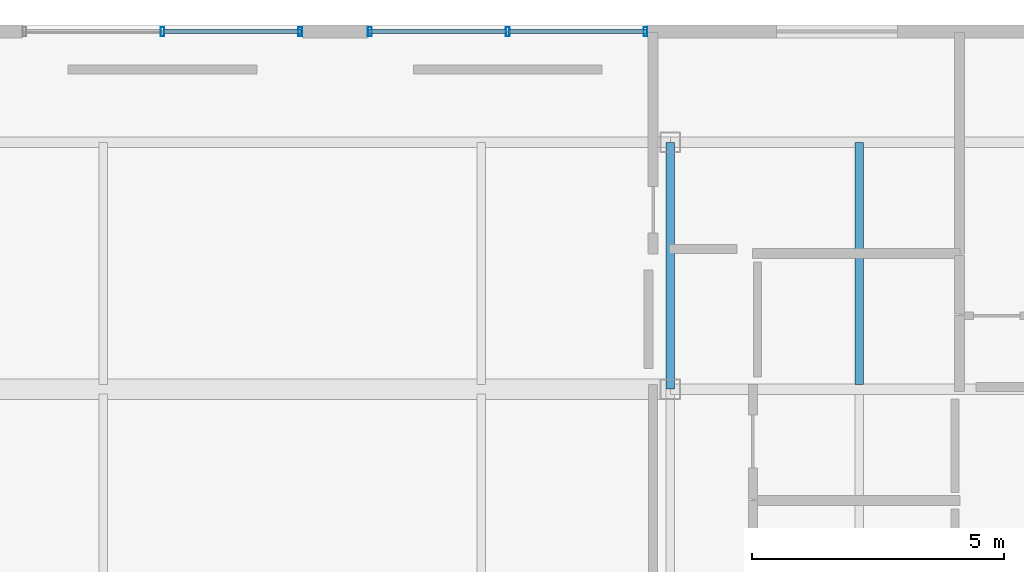
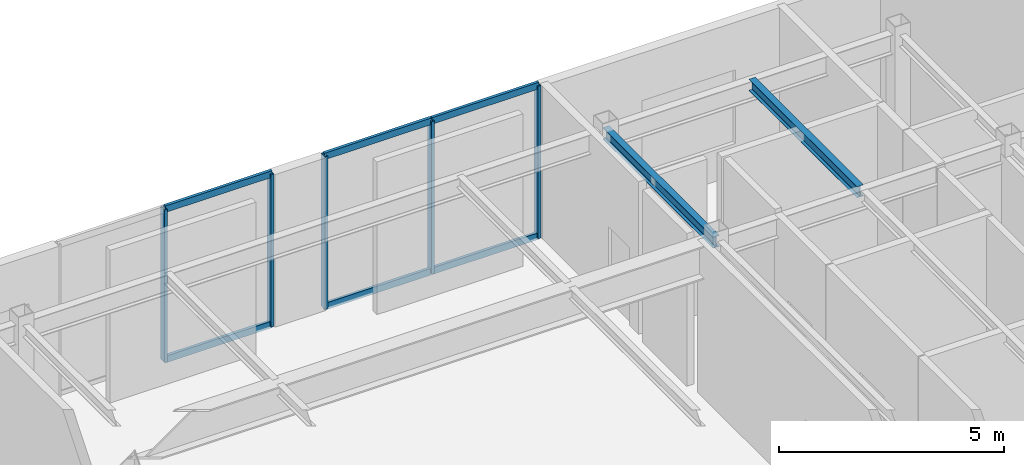
# One storey, part 4 of 10: 11 members, 2 beams, 2 elements without a shape of their own.
"""IFC4 building model written with IfcOpenShell, lengths in metres."""

from ifc_helpers import new_model, si_unit, direction, frame, origin, origin_2d, place, context, subcontext, project, spatial, hollow_rectangle, i_section, extrude, material, material_profile, profile_set, type_object, element, aggregate, save


model = new_model("IFC4")

# Units and contexts
model_context = context("Model", 3, precision=1e-05, world=origin(), true_north=direction((0.0, 1.0)))
body_context = subcontext(model_context, "Body", "Model", "MODEL_VIEW")
ifc_project = project(units=[si_unit("LENGTHUNIT", "METRE"), si_unit("AREAUNIT", "SQUARE_METRE"), si_unit("VOLUMEUNIT", "CUBIC_METRE"), si_unit("PLANEANGLEUNIT", "RADIAN"), si_unit("MASSUNIT", "GRAM", prefix="KILO")], contexts=[model_context])

# Site, building, storey
site_placement = place(None, origin())
site = spatial("IfcSite", under=ifc_project, at=site_placement, CompositionType="ELEMENT")
building_placement = place(site_placement, origin())
building = spatial("IfcBuilding", under=site, at=building_placement, Name="Ventersveld Concourse Tower", CompositionType="ELEMENT")
storey_placement = place(building_placement, frame((0.0, 0.0, 357.85009765625)))
storey = spatial("IfcBuildingStorey", under=building, at=storey_placement, Name="L88", CompositionType="ELEMENT", Elevation=357.85009765625)

# Beams
ifc_material_1 = material(Name="Structural steel S355J2", Category="steel")
ifc_material_profile_1 = material_profile(ifc_material_1, i_section(OverallWidth=0.1650390625, OverallDepth=0.303466796875, WebThickness=0.006103515625, FlangeThickness=0.01025390625, FilletRadius=0.0087890625, at=origin_2d()), Name="UB 305x165x40")
ifc_profile_set_1 = profile_set([ifc_material_profile_1], Name="Structural steel S355J2")
beam_type = type_object("IfcBeamType", Name="BM-UB305", PredefinedType="BEAM", material=ifc_profile_set_1)
beam_1_placement = place(storey_placement, frame((36.25, 23.60009765625, 3.98828125), z_axis=(0.0, 1.0, 0.0), x_axis=(-1.0, 0.0, 0.0)))
element("IfcBeam", 1, at=beam_1_placement, inside=storey, type_object=beam_type, Name="L88 N-S Upper-Zone Floor Beam X=36.25", PredefinedType="BEAM", context=body_context, shape_type="SweptSolid", body=[
    extrude(i_section(OverallWidth=0.1650390625, OverallDepth=0.303466796875, WebThickness=0.006103515625, FlangeThickness=0.01025390625, FilletRadius=0.0087890625, at=origin_2d()), origin(), (0.0, 0.0, 1.0), 4.89990234375),
])
beam_2_placement = place(storey_placement, frame((40.0, 23.695068359375, 3.98828125), z_axis=(0.0, 1.0, 0.0), x_axis=(-1.0, 0.0, 0.0)))
element("IfcBeam", 2, at=beam_2_placement, inside=storey, type_object=beam_type, Name="L88 N-S Upper-Zone Floor Beam X=40.00", PredefinedType="BEAM", context=body_context, shape_type="SweptSolid", body=[
    extrude(i_section(OverallWidth=0.1650390625, OverallDepth=0.303466796875, WebThickness=0.006103515625, FlangeThickness=0.01025390625, FilletRadius=0.0087890625, at=origin_2d()), origin(), (0.0, 0.0, 1.0), 4.804931640625),
])

# Curtain wall, members
ifc_material_2 = material(Name="Anodised aluminium EN AW-6063-T6", Category="aluminium")
curtain_wall_type = type_object("IfcCurtainWallType", Name="CW-SLOB-3", PredefinedType="NOTDEFINED", material=ifc_material_2)
curtain_wall_1_placement = place(storey_placement, origin())
curtain_wall_1 = element("IfcCurtainWall", 3, at=curtain_wall_1_placement, inside=storey, type_object=curtain_wall_type, Name="L88 L88 High-Zone Observatory Curtain Wall West", PredefinedType="NOTDEFINED")
ifc_material_profile_2 = material_profile(ifc_material_2, hollow_rectangle(XDim=0.074951171875, YDim=0.179931640625, WallThickness=0.00390625, at=origin_2d()), Name="ALU 180x75x4")
ifc_profile_set_2 = profile_set([ifc_material_profile_2], Name="Anodised aluminium EN AW-6063-T6")
member_type_1 = type_object("IfcMemberType", Name="CWM-180x75", PredefinedType="MULLION", material=ifc_profile_set_2)
member_1_placement = place(storey_placement, frame((26.175048828125, 30.695556640625, 0.0), z_axis=(0.0, 0.0, 1.0), x_axis=(1.0, 0.0, 0.0)))
member_1 = element("IfcMember", 4, at=member_1_placement, type_object=member_type_1, Name="CW-L88-N1 Mullion 02", PredefinedType="MULLION", context=body_context, shape_type="SweptSolid", body=[
    extrude(hollow_rectangle(XDim=0.074951171875, YDim=0.179931640625, WallThickness=0.00390625, at=origin_2d()), origin(), (0.0, 0.0, 1.0), 4.139892578125),
])
member_2_placement = place(storey_placement, frame((28.909912109375, 30.695556640625, 0.0), z_axis=(0.0, 0.0, 1.0), x_axis=(1.0, 0.0, 0.0)))
member_2 = element("IfcMember", 5, at=member_2_placement, type_object=member_type_1, Name="CW-L88-N1 Mullion 03", PredefinedType="MULLION", context=body_context, shape_type="SweptSolid", body=[
    extrude(hollow_rectangle(XDim=0.074951171875, YDim=0.179931640625, WallThickness=0.00390625, at=origin_2d()), origin(), (0.0, 0.0, 1.0), 4.139892578125),
])

curtain_wall_2_placement = place(storey_placement, origin())
curtain_wall_2 = element("IfcCurtainWall", 6, at=curtain_wall_2_placement, inside=storey, type_object=curtain_wall_type, Name="L88 L88 High-Zone Observatory Curtain Wall East", PredefinedType="NOTDEFINED")
member_3_placement = place(storey_placement, frame((30.2900390625, 30.695556640625, 0.0), z_axis=(0.0, 0.0, 1.0), x_axis=(1.0, 0.0, 0.0)))
member_3 = element("IfcMember", 7, at=member_3_placement, type_object=member_type_1, Name="CW-L88-N2 Mullion 01", PredefinedType="MULLION", context=body_context, shape_type="SweptSolid", body=[
    extrude(hollow_rectangle(XDim=0.074951171875, YDim=0.179931640625, WallThickness=0.00390625, at=origin_2d()), origin(), (0.0, 0.0, 1.0), 4.139892578125),
])
member_4_placement = place(storey_placement, frame((33.02490234375, 30.695556640625, 0.0), z_axis=(0.0, 0.0, 1.0), x_axis=(1.0, 0.0, 0.0)))
member_4 = element("IfcMember", 8, at=member_4_placement, type_object=member_type_1, Name="CW-L88-N2 Mullion 02", PredefinedType="MULLION", context=body_context, shape_type="SweptSolid", body=[
    extrude(hollow_rectangle(XDim=0.074951171875, YDim=0.179931640625, WallThickness=0.00390625, at=origin_2d()), origin(), (0.0, 0.0, 1.0), 4.139892578125),
])
member_5_placement = place(storey_placement, frame((35.760009765625, 30.695556640625, 0.0), z_axis=(0.0, 0.0, 1.0), x_axis=(1.0, 0.0, 0.0)))
member_5 = element("IfcMember", 9, at=member_5_placement, type_object=member_type_1, Name="CW-L88-N2 Mullion 03", PredefinedType="MULLION", context=body_context, shape_type="SweptSolid", body=[
    extrude(hollow_rectangle(XDim=0.074951171875, YDim=0.179931640625, WallThickness=0.00390625, at=origin_2d()), origin(), (0.0, 0.0, 1.0), 4.139892578125),
])

# Member
ifc_material_profile_3 = material_profile(ifc_material_2, hollow_rectangle(XDim=0.074951171875, YDim=0.179931640625, WallThickness=0.00390625, at=origin_2d()), Name="ALU 180x75x4")
ifc_profile_set_3 = profile_set([ifc_material_profile_3], Name="Anodised aluminium EN AW-6063-T6")
member_type_2 = type_object("IfcMemberType", Name="CWT-180x75", PredefinedType="USERDEFINED", material=ifc_profile_set_3)
member_6_placement = place(storey_placement, frame((26.18505859375, 30.695556640625, 0.02978515625), z_axis=(1.0, 0.0, 0.0), x_axis=(0.0, 1.0, 0.0)))
member_6 = element("IfcMember", 10, at=member_6_placement, type_object=member_type_2, Name="CW-L88-N1 Transom 1-02", ObjectType="TRANSOM", PredefinedType="USERDEFINED", context=body_context, shape_type="SweptSolid", body=[
    extrude(hollow_rectangle(XDim=0.074951171875, YDim=0.179931640625, WallThickness=0.00390625, at=origin_2d()), origin(), (0.0, 0.0, 1.0), 2.744873046875),
])

member_7_placement = place(storey_placement, frame((26.18505859375, 30.695556640625, 4.10986328125), z_axis=(1.0, 0.0, 0.0), x_axis=(0.0, 1.0, 0.0)))
member_7 = element("IfcMember", 11, at=member_7_placement, type_object=member_type_2, Name="CW-L88-N1 Transom 2-02", ObjectType="TRANSOM", PredefinedType="USERDEFINED", context=body_context, shape_type="SweptSolid", body=[
    extrude(hollow_rectangle(XDim=0.074951171875, YDim=0.179931640625, WallThickness=0.00390625, at=origin_2d()), origin(), (0.0, 0.0, 1.0), 2.744873046875),
])

aggregate(curtain_wall_1, [member_1, member_2, member_6, member_7])

member_8_placement = place(storey_placement, frame((30.27001953125, 30.695556640625, 0.02978515625), z_axis=(1.0, 0.0, 0.0), x_axis=(0.0, 1.0, 0.0)))
member_8 = element("IfcMember", 12, at=member_8_placement, type_object=member_type_2, Name="CW-L88-N2 Transom 1-01", ObjectType="TRANSOM", PredefinedType="USERDEFINED", context=body_context, shape_type="SweptSolid", body=[
    extrude(hollow_rectangle(XDim=0.074951171875, YDim=0.179931640625, WallThickness=0.00390625, at=origin_2d()), origin(), (0.0, 0.0, 1.0), 2.744873046875),
])

member_9_placement = place(storey_placement, frame((33.034912109375, 30.695556640625, 0.02978515625), z_axis=(1.0, 0.0, 0.0), x_axis=(0.0, 1.0, 0.0)))
member_9 = element("IfcMember", 13, at=member_9_placement, type_object=member_type_2, Name="CW-L88-N2 Transom 1-02", ObjectType="TRANSOM", PredefinedType="USERDEFINED", context=body_context, shape_type="SweptSolid", body=[
    extrude(hollow_rectangle(XDim=0.074951171875, YDim=0.179931640625, WallThickness=0.00390625, at=origin_2d()), origin(), (0.0, 0.0, 1.0), 2.7451171875),
])

member_10_placement = place(storey_placement, frame((30.27001953125, 30.695556640625, 4.10986328125), z_axis=(1.0, 0.0, 0.0), x_axis=(0.0, 1.0, 0.0)))
member_10 = element("IfcMember", 14, at=member_10_placement, type_object=member_type_2, Name="CW-L88-N2 Transom 2-01", ObjectType="TRANSOM", PredefinedType="USERDEFINED", context=body_context, shape_type="SweptSolid", body=[
    extrude(hollow_rectangle(XDim=0.074951171875, YDim=0.179931640625, WallThickness=0.00390625, at=origin_2d()), origin(), (0.0, 0.0, 1.0), 2.744873046875),
])

member_11_placement = place(storey_placement, frame((33.034912109375, 30.695556640625, 4.10986328125), z_axis=(1.0, 0.0, 0.0), x_axis=(0.0, 1.0, 0.0)))
member_11 = element("IfcMember", 15, at=member_11_placement, type_object=member_type_2, Name="CW-L88-N2 Transom 2-02", ObjectType="TRANSOM", PredefinedType="USERDEFINED", context=body_context, shape_type="SweptSolid", body=[
    extrude(hollow_rectangle(XDim=0.074951171875, YDim=0.179931640625, WallThickness=0.00390625, at=origin_2d()), origin(), (0.0, 0.0, 1.0), 2.7451171875),
])

aggregate(curtain_wall_2, [member_3, member_4, member_5, member_8, member_9, member_10, member_11])

save(model, "model.ifc")
